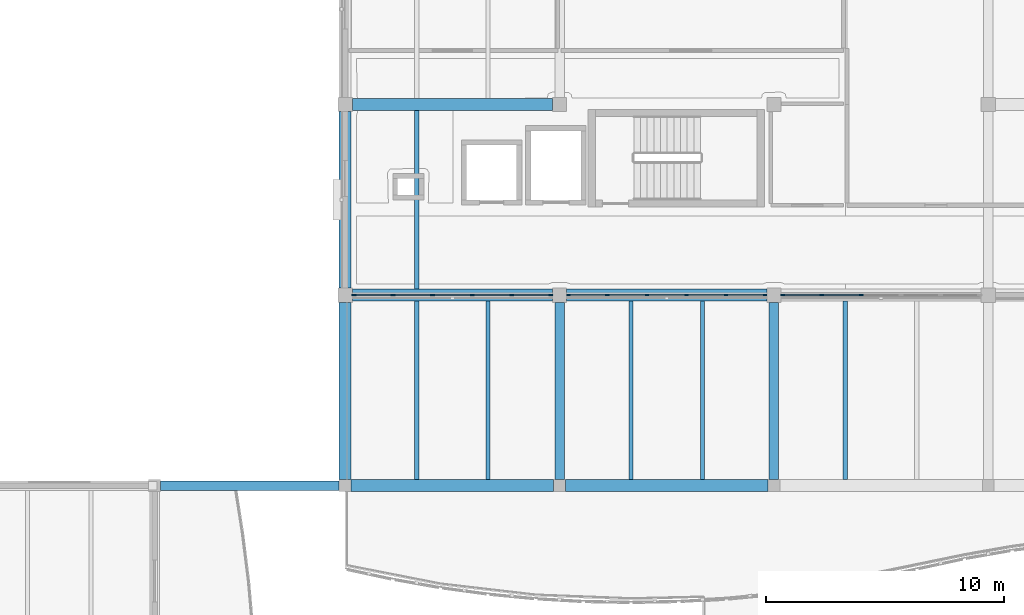
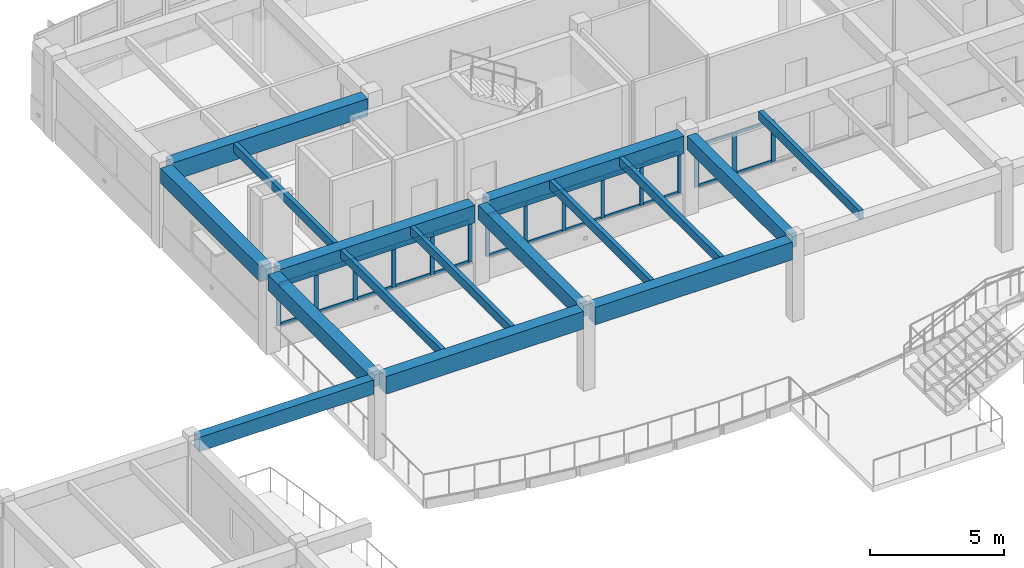
# One storey, part 18 of 89: 39 members, 16 beams, 3 elements without a shape of their own.
"""IFC4 building model written with IfcOpenShell, lengths in metres."""

from ifc_helpers import new_model, si_unit, direction, frame, origin, origin_2d, place, context, subcontext, project, spatial, rectangle, extrude, material, layer, layer_set, material_profile, profile_set, type_object, element, aggregate, save


model = new_model("IFC4")

# Units and contexts
model_context = context("Model", 3, precision=1e-05, world=origin(), true_north=direction((0.0, 1.0)))
body_context = subcontext(model_context, "Body", "Model", "MODEL_VIEW")
ifc_project = project(units=[si_unit("LENGTHUNIT", "METRE"), si_unit("AREAUNIT", "SQUARE_METRE"), si_unit("VOLUMEUNIT", "CUBIC_METRE"), si_unit("PLANEANGLEUNIT", "RADIAN"), si_unit("MASSUNIT", "GRAM", prefix="KILO")], contexts=[model_context])

# Site, building, storey
site_placement = place(None, origin())
site = spatial("IfcSite", under=ifc_project, at=site_placement, CompositionType="ELEMENT")
building_placement = place(site_placement, origin())
building = spatial("IfcBuilding", under=site, at=building_placement, Name="Tonlespit Floodbar School", CompositionType="ELEMENT")
storey_placement = place(building_placement, frame((0.0, 0.0, 4.5)))
storey = spatial("IfcBuildingStorey", under=building, at=storey_placement, Name="L01", CompositionType="ELEMENT", Elevation=4.5)

# Beams
ifc_material_1 = material(Name="Concrete C40/50", Category="concrete")
ifc_material_profile_1 = material_profile(ifc_material_1, rectangle(XDim=0.39990234375, YDim=0.64990234375, at=origin_2d()), Name="RC 400x650")
ifc_profile_set_1 = profile_set([ifc_material_profile_1], Name="Concrete C40/50")
beam_type_1 = type_object("IfcBeamType", Name="Beam_RC_400x650", PredefinedType="BEAM", material=ifc_profile_set_1)
beam_1_placement = place(storey_placement, frame((36.25, 96.0, 3.324951171875), z_axis=(1.0, 0.0, 0.0), x_axis=(0.0, 1.0, 0.0)))
element("IfcBeam", 1, at=beam_1_placement, inside=storey, type_object=beam_type_1, Name="L01 girder 0616", PredefinedType="BEAM", context=body_context, shape_type="SweptSolid", body=[
    extrude(rectangle(XDim=0.39990234375, YDim=0.64990234375, at=origin_2d()), origin(), (0.0, 0.0, 1.0), 7.5),
])
for number, where, z_axis, x_axis, name in (
    (2, (53.0, 96.25, 3.322998046875), (0.0, 1.0, 0.0), (-1.0, 0.0, 0.0), "L01 girder 0728"),
    (3, (62.0, 96.25, 3.322998046875), (0.0, 1.0, 0.0), (-1.0, 0.0, 0.0), "L01 girder 0730"),
):
    element("IfcBeam", number, at=place(storey_placement, frame(where, z_axis=z_axis, x_axis=x_axis)), inside=storey, type_object=beam_type_1, Name=name, PredefinedType="BEAM", context=body_context, shape_type="SweptSolid", body=[
        extrude(rectangle(XDim=0.39990234375, YDim=0.64990234375, at=origin_2d()), origin(), (0.0, 0.0, 1.0), 7.449951171875),
    ])
ifc_material_profile_2 = material_profile(ifc_material_1, rectangle(XDim=0.5, YDim=0.800048828125, at=origin_2d()), Name="RC 500x800")
ifc_profile_set_2 = profile_set([ifc_material_profile_2], Name="Concrete C40/50")
beam_type_2 = type_object("IfcBeamType", Name="Beam_RC_500x800", PredefinedType="BEAM", material=ifc_profile_set_2)
for number, where, z_axis, x_axis, name in (
    (4, (44.25, 96.0, 3.248046875), (1.0, 0.0, 0.0), (0.0, 1.0, 0.0), "L01 girder 0617"),
    (5, (53.25, 96.0, 3.248046875), (1.0, 0.0, 0.0), (0.0, 1.0, 0.0), "L01 girder 0618"),
):
    element("IfcBeam", number, at=place(storey_placement, frame(where, z_axis=z_axis, x_axis=x_axis)), inside=storey, type_object=beam_type_2, Name=name, PredefinedType="BEAM", context=body_context, shape_type="SweptSolid", body=[
        extrude(rectangle(XDim=0.5, YDim=0.800048828125, at=origin_2d()), origin(), (0.0, 0.0, 1.0), 8.5),
    ])
for number, where, z_axis, x_axis, name in (
    (6, (44.300048828125, 104.0, 3.2451171875), (1.0, 0.0, 0.0), (0.0, 1.0, 0.0), "L01 girder 0629"),
    (7, (53.300048828125, 104.0, 3.2451171875), (1.0, 0.0, 0.0), (0.0, 1.0, 0.0), "L01 girder 0630"),
    (8, (44.300048828125, 112.0, 3.2451171875), (1.0, 0.0, 0.0), (0.0, 1.0, 0.0), "L01 girder 0645"),
):
    element("IfcBeam", number, at=place(storey_placement, frame(where, z_axis=z_axis, x_axis=x_axis)), inside=storey, type_object=beam_type_2, Name=name, PredefinedType="BEAM", context=body_context, shape_type="SweptSolid", body=[
        extrude(rectangle(XDim=0.5, YDim=0.800048828125, at=origin_2d()), origin(), (0.0, 0.0, 1.0), 8.39990234375),
    ])

# Curtain wall, members
ifc_material_2 = material(Name="Anodised Aluminium", Category="aluminium")
ifc_layer = layer(ifc_material_2, 0.159912109375)
ifc_layer_set = layer_set([ifc_layer], Name="Anodised Aluminium")
curtain_wall_type = type_object("IfcCurtainWallType", Name="CurtainWall_8300x1900", PredefinedType="NOTDEFINED", material=ifc_layer_set)
curtain_wall_1_placement = place(storey_placement, origin())
curtain_wall_1 = element("IfcCurtainWall", 9, at=curtain_wall_1_placement, inside=storey, type_object=curtain_wall_type, Name="L01 unitised curtain wall 0080", PredefinedType="NOTDEFINED")
ifc_material_profile_3 = material_profile(ifc_material_2, rectangle(XDim=0.06494140625, YDim=0.14990234375, at=origin_2d()), Name="ALU M65x150")
ifc_profile_set_3 = profile_set([ifc_material_profile_3], Name="Anodised Aluminium")
member_type_1 = type_object("IfcMemberType", Name="CW_Mullion_65x150", PredefinedType="MULLION", material=ifc_profile_set_3)
member_1_placement = place(storey_placement, frame((61.62744140625, 104.0, 0.949951171875), z_axis=(0.0, 0.0, 1.0), x_axis=(0.0, -1.0, 0.0)))
member_1 = element("IfcMember", 10, at=member_1_placement, type_object=member_type_1, Name="CW-06 mullion 1", PredefinedType="MULLION", context=body_context, shape_type="SweptSolid", body=[
    extrude(rectangle(XDim=0.06494140625, YDim=0.14990234375, at=origin_2d()), origin(), (0.0, 0.0, 1.0), 1.89501953125),
])
member_2_placement = place(storey_placement, frame((59.99609375, 104.0, 0.949951171875), z_axis=(0.0, 0.0, 1.0), x_axis=(0.0, -1.0, 0.0)))
member_2 = element("IfcMember", 11, at=member_2_placement, type_object=member_type_1, Name="CW-06 mullion 2", PredefinedType="MULLION", context=body_context, shape_type="SweptSolid", body=[
    extrude(rectangle(XDim=0.06494140625, YDim=0.14990234375, at=origin_2d()), origin(), (0.0, 0.0, 1.0), 1.89501953125),
])
member_3_placement = place(storey_placement, frame((58.33203125, 104.0, 0.949951171875), z_axis=(0.0, 0.0, 1.0), x_axis=(0.0, -1.0, 0.0)))
member_3 = element("IfcMember", 12, at=member_3_placement, type_object=member_type_1, Name="CW-06 mullion 3", PredefinedType="MULLION", context=body_context, shape_type="SweptSolid", body=[
    extrude(rectangle(XDim=0.06494140625, YDim=0.14990234375, at=origin_2d()), origin(), (0.0, 0.0, 1.0), 1.89501953125),
])
member_4_placement = place(storey_placement, frame((56.66796875, 104.0, 0.949951171875), z_axis=(0.0, 0.0, 1.0), x_axis=(0.0, -1.0, 0.0)))
member_4 = element("IfcMember", 13, at=member_4_placement, type_object=member_type_1, Name="CW-06 mullion 4", PredefinedType="MULLION", context=body_context, shape_type="SweptSolid", body=[
    extrude(rectangle(XDim=0.06494140625, YDim=0.14990234375, at=origin_2d()), origin(), (0.0, 0.0, 1.0), 1.89501953125),
])
member_5_placement = place(storey_placement, frame((55.00390625, 104.0, 0.949951171875), z_axis=(0.0, 0.0, 1.0), x_axis=(0.0, -1.0, 0.0)))
member_5 = element("IfcMember", 14, at=member_5_placement, type_object=member_type_1, Name="CW-06 mullion 5", PredefinedType="MULLION", context=body_context, shape_type="SweptSolid", body=[
    extrude(rectangle(XDim=0.06494140625, YDim=0.14990234375, at=origin_2d()), origin(), (0.0, 0.0, 1.0), 1.89501953125),
])
member_6_placement = place(storey_placement, frame((53.37255859375, 104.0, 0.949951171875), z_axis=(0.0, 0.0, 1.0), x_axis=(0.0, -1.0, 0.0)))
member_6 = element("IfcMember", 15, at=member_6_placement, type_object=member_type_1, Name="CW-06 mullion 6", PredefinedType="MULLION", context=body_context, shape_type="SweptSolid", body=[
    extrude(rectangle(XDim=0.06494140625, YDim=0.14990234375, at=origin_2d()), origin(), (0.0, 0.0, 1.0), 1.89501953125),
])

curtain_wall_2_placement = place(storey_placement, origin())
curtain_wall_2 = element("IfcCurtainWall", 16, at=curtain_wall_2_placement, inside=storey, type_object=curtain_wall_type, Name="L01 unitised curtain wall 0079", PredefinedType="NOTDEFINED")
ifc_material_profile_4 = material_profile(ifc_material_2, rectangle(XDim=0.06494140625, YDim=0.179931640625, at=origin_2d()), Name="ALU M65x180")
ifc_profile_set_4 = profile_set([ifc_material_profile_4], Name="Anodised Aluminium")
member_type_2 = type_object("IfcMemberType", Name="CW_Mullion_65x180", PredefinedType="MULLION", material=ifc_profile_set_4)
member_7_placement = place(storey_placement, frame((65.66796875, 104.0, 0.949951171875), z_axis=(0.0, 0.0, 1.0), x_axis=(0.0, -1.0, 0.0)))
member_7 = element("IfcMember", 17, at=member_7_placement, type_object=member_type_2, Name="CW-06 mullion 4", PredefinedType="MULLION", context=body_context, shape_type="SweptSolid", body=[
    extrude(rectangle(XDim=0.06494140625, YDim=0.179931640625, at=origin_2d()), origin(), (0.0, 0.0, 1.0), 1.89501953125),
])
member_8_placement = place(storey_placement, frame((64.00390625, 104.0, 0.949951171875), z_axis=(0.0, 0.0, 1.0), x_axis=(0.0, -1.0, 0.0)))
member_8 = element("IfcMember", 18, at=member_8_placement, type_object=member_type_2, Name="CW-06 mullion 5", PredefinedType="MULLION", context=body_context, shape_type="SweptSolid", body=[
    extrude(rectangle(XDim=0.06494140625, YDim=0.179931640625, at=origin_2d()), origin(), (0.0, 0.0, 1.0), 1.89501953125),
])
member_9_placement = place(storey_placement, frame((62.37255859375, 104.0, 0.949951171875), z_axis=(0.0, 0.0, 1.0), x_axis=(0.0, -1.0, 0.0)))
member_9 = element("IfcMember", 19, at=member_9_placement, type_object=member_type_2, Name="CW-06 mullion 6", PredefinedType="MULLION", context=body_context, shape_type="SweptSolid", body=[
    extrude(rectangle(XDim=0.06494140625, YDim=0.179931640625, at=origin_2d()), origin(), (0.0, 0.0, 1.0), 1.89501953125),
])

curtain_wall_3_placement = place(storey_placement, origin())
curtain_wall_3 = element("IfcCurtainWall", 20, at=curtain_wall_3_placement, inside=storey, type_object=curtain_wall_type, Name="L01 unitised curtain wall 0081", PredefinedType="NOTDEFINED")
member_10_placement = place(storey_placement, frame((52.62744140625, 104.0, 0.949951171875), z_axis=(0.0, 0.0, 1.0), x_axis=(0.0, -1.0, 0.0)))
member_10 = element("IfcMember", 21, at=member_10_placement, type_object=member_type_2, Name="CW-06 mullion 1", PredefinedType="MULLION", context=body_context, shape_type="SweptSolid", body=[
    extrude(rectangle(XDim=0.06494140625, YDim=0.179931640625, at=origin_2d()), origin(), (0.0, 0.0, 1.0), 1.89501953125),
])
member_11_placement = place(storey_placement, frame((50.99609375, 104.0, 0.949951171875), z_axis=(0.0, 0.0, 1.0), x_axis=(0.0, -1.0, 0.0)))
member_11 = element("IfcMember", 22, at=member_11_placement, type_object=member_type_2, Name="CW-06 mullion 2", PredefinedType="MULLION", context=body_context, shape_type="SweptSolid", body=[
    extrude(rectangle(XDim=0.06494140625, YDim=0.179931640625, at=origin_2d()), origin(), (0.0, 0.0, 1.0), 1.89501953125),
])
member_12_placement = place(storey_placement, frame((49.33203125, 104.0, 0.949951171875), z_axis=(0.0, 0.0, 1.0), x_axis=(0.0, -1.0, 0.0)))
member_12 = element("IfcMember", 23, at=member_12_placement, type_object=member_type_2, Name="CW-06 mullion 3", PredefinedType="MULLION", context=body_context, shape_type="SweptSolid", body=[
    extrude(rectangle(XDim=0.06494140625, YDim=0.179931640625, at=origin_2d()), origin(), (0.0, 0.0, 1.0), 1.89501953125),
])
member_13_placement = place(storey_placement, frame((47.66796875, 104.0, 0.949951171875), z_axis=(0.0, 0.0, 1.0), x_axis=(0.0, -1.0, 0.0)))
member_13 = element("IfcMember", 24, at=member_13_placement, type_object=member_type_2, Name="CW-06 mullion 4", PredefinedType="MULLION", context=body_context, shape_type="SweptSolid", body=[
    extrude(rectangle(XDim=0.06494140625, YDim=0.179931640625, at=origin_2d()), origin(), (0.0, 0.0, 1.0), 1.89501953125),
])
member_14_placement = place(storey_placement, frame((46.00390625, 104.0, 0.949951171875), z_axis=(0.0, 0.0, 1.0), x_axis=(0.0, -1.0, 0.0)))
member_14 = element("IfcMember", 25, at=member_14_placement, type_object=member_type_2, Name="CW-06 mullion 5", PredefinedType="MULLION", context=body_context, shape_type="SweptSolid", body=[
    extrude(rectangle(XDim=0.06494140625, YDim=0.179931640625, at=origin_2d()), origin(), (0.0, 0.0, 1.0), 1.89501953125),
])
member_15_placement = place(storey_placement, frame((44.37255859375, 104.0, 0.949951171875), z_axis=(0.0, 0.0, 1.0), x_axis=(0.0, -1.0, 0.0)))
member_15 = element("IfcMember", 26, at=member_15_placement, type_object=member_type_2, Name="CW-06 mullion 6", PredefinedType="MULLION", context=body_context, shape_type="SweptSolid", body=[
    extrude(rectangle(XDim=0.06494140625, YDim=0.179931640625, at=origin_2d()), origin(), (0.0, 0.0, 1.0), 1.89501953125),
])

# Member
ifc_material_profile_5 = material_profile(ifc_material_2, rectangle(XDim=0.06494140625, YDim=0.1201171875, at=origin_2d()), Name="ALU T65x120")
ifc_profile_set_5 = profile_set([ifc_material_profile_5], Name="Anodised Aluminium")
member_type_3 = type_object("IfcMemberType", Name="CW_Transom_65x120", PredefinedType="USERDEFINED", material=ifc_profile_set_5)
member_16_placement = place(storey_placement, frame((61.594970703125, 104.0, 0.982421875), z_axis=(-1.0, 0.0, 0.0), x_axis=(0.0, -1.0, 0.0)))
member_16 = element("IfcMember", 27, at=member_16_placement, type_object=member_type_3, Name="CW-06 transom 1.1", ObjectType="TRANSOM", PredefinedType="USERDEFINED", context=body_context, shape_type="SweptSolid", body=[
    extrude(rectangle(XDim=0.06494140625, YDim=0.1201171875, at=origin_2d()), origin(), (0.0, 0.0, 1.0), 1.56640625),
])

member_17_placement = place(storey_placement, frame((61.594970703125, 104.0, 2.8125), z_axis=(-1.0, 0.0, 0.0), x_axis=(0.0, -1.0, 0.0)))
member_17 = element("IfcMember", 28, at=member_17_placement, type_object=member_type_3, Name="CW-06 transom 1.2", ObjectType="TRANSOM", PredefinedType="USERDEFINED", context=body_context, shape_type="SweptSolid", body=[
    extrude(rectangle(XDim=0.06494140625, YDim=0.1201171875, at=origin_2d()), origin(), (0.0, 0.0, 1.0), 1.56640625),
])

member_18_placement = place(storey_placement, frame((59.96337890625, 104.0, 0.982421875), z_axis=(-1.0, 0.0, 0.0), x_axis=(0.0, -1.0, 0.0)))
member_18 = element("IfcMember", 29, at=member_18_placement, type_object=member_type_3, Name="CW-06 transom 2.1", ObjectType="TRANSOM", PredefinedType="USERDEFINED", context=body_context, shape_type="SweptSolid", body=[
    extrude(rectangle(XDim=0.06494140625, YDim=0.1201171875, at=origin_2d()), origin(), (0.0, 0.0, 1.0), 1.598876953125),
])

member_19_placement = place(storey_placement, frame((59.96337890625, 104.0, 2.8125), z_axis=(-1.0, 0.0, 0.0), x_axis=(0.0, -1.0, 0.0)))
member_19 = element("IfcMember", 30, at=member_19_placement, type_object=member_type_3, Name="CW-06 transom 2.2", ObjectType="TRANSOM", PredefinedType="USERDEFINED", context=body_context, shape_type="SweptSolid", body=[
    extrude(rectangle(XDim=0.06494140625, YDim=0.1201171875, at=origin_2d()), origin(), (0.0, 0.0, 1.0), 1.598876953125),
])

member_20_placement = place(storey_placement, frame((58.299560546875, 104.0, 0.982421875), z_axis=(-1.0, 0.0, 0.0), x_axis=(0.0, -1.0, 0.0)))
member_20 = element("IfcMember", 31, at=member_20_placement, type_object=member_type_3, Name="CW-06 transom 3.1", ObjectType="TRANSOM", PredefinedType="USERDEFINED", context=body_context, shape_type="SweptSolid", body=[
    extrude(rectangle(XDim=0.06494140625, YDim=0.1201171875, at=origin_2d()), origin(), (0.0, 0.0, 1.0), 1.59912109375),
])

member_21_placement = place(storey_placement, frame((58.299560546875, 104.0, 2.8125), z_axis=(-1.0, 0.0, 0.0), x_axis=(0.0, -1.0, 0.0)))
member_21 = element("IfcMember", 32, at=member_21_placement, type_object=member_type_3, Name="CW-06 transom 3.2", ObjectType="TRANSOM", PredefinedType="USERDEFINED", context=body_context, shape_type="SweptSolid", body=[
    extrude(rectangle(XDim=0.06494140625, YDim=0.1201171875, at=origin_2d()), origin(), (0.0, 0.0, 1.0), 1.59912109375),
])

member_22_placement = place(storey_placement, frame((56.635498046875, 104.0, 0.982421875), z_axis=(-1.0, 0.0, 0.0), x_axis=(0.0, -1.0, 0.0)))
member_22 = element("IfcMember", 33, at=member_22_placement, type_object=member_type_3, Name="CW-06 transom 4.1", ObjectType="TRANSOM", PredefinedType="USERDEFINED", context=body_context, shape_type="SweptSolid", body=[
    extrude(rectangle(XDim=0.06494140625, YDim=0.1201171875, at=origin_2d()), origin(), (0.0, 0.0, 1.0), 1.598876953125),
])

member_23_placement = place(storey_placement, frame((56.635498046875, 104.0, 2.8125), z_axis=(-1.0, 0.0, 0.0), x_axis=(0.0, -1.0, 0.0)))
member_23 = element("IfcMember", 34, at=member_23_placement, type_object=member_type_3, Name="CW-06 transom 4.2", ObjectType="TRANSOM", PredefinedType="USERDEFINED", context=body_context, shape_type="SweptSolid", body=[
    extrude(rectangle(XDim=0.06494140625, YDim=0.1201171875, at=origin_2d()), origin(), (0.0, 0.0, 1.0), 1.598876953125),
])

member_24_placement = place(storey_placement, frame((54.971435546875, 104.0, 0.982421875), z_axis=(-1.0, 0.0, 0.0), x_axis=(0.0, -1.0, 0.0)))
member_24 = element("IfcMember", 35, at=member_24_placement, type_object=member_type_3, Name="CW-06 transom 5.1", ObjectType="TRANSOM", PredefinedType="USERDEFINED", context=body_context, shape_type="SweptSolid", body=[
    extrude(rectangle(XDim=0.06494140625, YDim=0.1201171875, at=origin_2d()), origin(), (0.0, 0.0, 1.0), 1.56640625),
])

member_25_placement = place(storey_placement, frame((54.971435546875, 104.0, 2.8125), z_axis=(-1.0, 0.0, 0.0), x_axis=(0.0, -1.0, 0.0)))
member_25 = element("IfcMember", 36, at=member_25_placement, type_object=member_type_3, Name="CW-06 transom 5.2", ObjectType="TRANSOM", PredefinedType="USERDEFINED", context=body_context, shape_type="SweptSolid", body=[
    extrude(rectangle(XDim=0.06494140625, YDim=0.1201171875, at=origin_2d()), origin(), (0.0, 0.0, 1.0), 1.56640625),
])

aggregate(curtain_wall_1, [member_1, member_2, member_3, member_4, member_5, member_6, member_16, member_17, member_18, member_19, member_20, member_21, member_22, member_23, member_24, member_25])

ifc_material_profile_6 = material_profile(ifc_material_2, rectangle(XDim=0.06494140625, YDim=0.139892578125, at=origin_2d()), Name="ALU T65x140")
ifc_profile_set_6 = profile_set([ifc_material_profile_6], Name="Anodised Aluminium")
member_type_4 = type_object("IfcMemberType", Name="CW_Transom_65x140", PredefinedType="USERDEFINED", material=ifc_profile_set_6)
member_26_placement = place(storey_placement, frame((65.635498046875, 104.0, 0.982421875), z_axis=(-1.0, 0.0, 0.0), x_axis=(0.0, -1.0, 0.0)))
member_26 = element("IfcMember", 37, at=member_26_placement, type_object=member_type_4, Name="CW-06 transom 4.1", ObjectType="TRANSOM", PredefinedType="USERDEFINED", context=body_context, shape_type="SweptSolid", body=[
    extrude(rectangle(XDim=0.06494140625, YDim=0.139892578125, at=origin_2d()), origin(), (0.0, 0.0, 1.0), 1.598876953125),
])

member_27_placement = place(storey_placement, frame((65.635498046875, 104.0, 2.8125), z_axis=(-1.0, 0.0, 0.0), x_axis=(0.0, -1.0, 0.0)))
member_27 = element("IfcMember", 38, at=member_27_placement, type_object=member_type_4, Name="CW-06 transom 4.2", ObjectType="TRANSOM", PredefinedType="USERDEFINED", context=body_context, shape_type="SweptSolid", body=[
    extrude(rectangle(XDim=0.06494140625, YDim=0.139892578125, at=origin_2d()), origin(), (0.0, 0.0, 1.0), 1.598876953125),
])

member_28_placement = place(storey_placement, frame((63.971435546875, 104.0, 0.982421875), z_axis=(-1.0, 0.0, 0.0), x_axis=(0.0, -1.0, 0.0)))
member_28 = element("IfcMember", 39, at=member_28_placement, type_object=member_type_4, Name="CW-06 transom 5.1", ObjectType="TRANSOM", PredefinedType="USERDEFINED", context=body_context, shape_type="SweptSolid", body=[
    extrude(rectangle(XDim=0.06494140625, YDim=0.139892578125, at=origin_2d()), origin(), (0.0, 0.0, 1.0), 1.56640625),
])

member_29_placement = place(storey_placement, frame((63.971435546875, 104.0, 2.8125), z_axis=(-1.0, 0.0, 0.0), x_axis=(0.0, -1.0, 0.0)))
member_29 = element("IfcMember", 40, at=member_29_placement, type_object=member_type_4, Name="CW-06 transom 5.2", ObjectType="TRANSOM", PredefinedType="USERDEFINED", context=body_context, shape_type="SweptSolid", body=[
    extrude(rectangle(XDim=0.06494140625, YDim=0.139892578125, at=origin_2d()), origin(), (0.0, 0.0, 1.0), 1.56640625),
])

aggregate(curtain_wall_2, [member_7, member_8, member_9, member_26, member_27, member_28, member_29])

member_30_placement = place(storey_placement, frame((52.594970703125, 104.0, 0.982421875), z_axis=(-1.0, 0.0, 0.0), x_axis=(0.0, -1.0, 0.0)))
member_30 = element("IfcMember", 41, at=member_30_placement, type_object=member_type_4, Name="CW-06 transom 1.1", ObjectType="TRANSOM", PredefinedType="USERDEFINED", context=body_context, shape_type="SweptSolid", body=[
    extrude(rectangle(XDim=0.06494140625, YDim=0.139892578125, at=origin_2d()), origin(), (0.0, 0.0, 1.0), 1.56640625),
])

member_31_placement = place(storey_placement, frame((52.594970703125, 104.0, 2.8125), z_axis=(-1.0, 0.0, 0.0), x_axis=(0.0, -1.0, 0.0)))
member_31 = element("IfcMember", 42, at=member_31_placement, type_object=member_type_4, Name="CW-06 transom 1.2", ObjectType="TRANSOM", PredefinedType="USERDEFINED", context=body_context, shape_type="SweptSolid", body=[
    extrude(rectangle(XDim=0.06494140625, YDim=0.139892578125, at=origin_2d()), origin(), (0.0, 0.0, 1.0), 1.56640625),
])

member_32_placement = place(storey_placement, frame((50.96337890625, 104.0, 0.982421875), z_axis=(-1.0, 0.0, 0.0), x_axis=(0.0, -1.0, 0.0)))
member_32 = element("IfcMember", 43, at=member_32_placement, type_object=member_type_4, Name="CW-06 transom 2.1", ObjectType="TRANSOM", PredefinedType="USERDEFINED", context=body_context, shape_type="SweptSolid", body=[
    extrude(rectangle(XDim=0.06494140625, YDim=0.139892578125, at=origin_2d()), origin(), (0.0, 0.0, 1.0), 1.598876953125),
])

member_33_placement = place(storey_placement, frame((50.96337890625, 104.0, 2.8125), z_axis=(-1.0, 0.0, 0.0), x_axis=(0.0, -1.0, 0.0)))
member_33 = element("IfcMember", 44, at=member_33_placement, type_object=member_type_4, Name="CW-06 transom 2.2", ObjectType="TRANSOM", PredefinedType="USERDEFINED", context=body_context, shape_type="SweptSolid", body=[
    extrude(rectangle(XDim=0.06494140625, YDim=0.139892578125, at=origin_2d()), origin(), (0.0, 0.0, 1.0), 1.598876953125),
])

member_34_placement = place(storey_placement, frame((49.299560546875, 104.0, 0.982421875), z_axis=(-1.0, 0.0, 0.0), x_axis=(0.0, -1.0, 0.0)))
member_34 = element("IfcMember", 45, at=member_34_placement, type_object=member_type_4, Name="CW-06 transom 3.1", ObjectType="TRANSOM", PredefinedType="USERDEFINED", context=body_context, shape_type="SweptSolid", body=[
    extrude(rectangle(XDim=0.06494140625, YDim=0.139892578125, at=origin_2d()), origin(), (0.0, 0.0, 1.0), 1.59912109375),
])

member_35_placement = place(storey_placement, frame((49.299560546875, 104.0, 2.8125), z_axis=(-1.0, 0.0, 0.0), x_axis=(0.0, -1.0, 0.0)))
member_35 = element("IfcMember", 46, at=member_35_placement, type_object=member_type_4, Name="CW-06 transom 3.2", ObjectType="TRANSOM", PredefinedType="USERDEFINED", context=body_context, shape_type="SweptSolid", body=[
    extrude(rectangle(XDim=0.06494140625, YDim=0.139892578125, at=origin_2d()), origin(), (0.0, 0.0, 1.0), 1.59912109375),
])

member_36_placement = place(storey_placement, frame((47.635498046875, 104.0, 0.982421875), z_axis=(-1.0, 0.0, 0.0), x_axis=(0.0, -1.0, 0.0)))
member_36 = element("IfcMember", 47, at=member_36_placement, type_object=member_type_4, Name="CW-06 transom 4.1", ObjectType="TRANSOM", PredefinedType="USERDEFINED", context=body_context, shape_type="SweptSolid", body=[
    extrude(rectangle(XDim=0.06494140625, YDim=0.139892578125, at=origin_2d()), origin(), (0.0, 0.0, 1.0), 1.598876953125),
])

member_37_placement = place(storey_placement, frame((47.635498046875, 104.0, 2.8125), z_axis=(-1.0, 0.0, 0.0), x_axis=(0.0, -1.0, 0.0)))
member_37 = element("IfcMember", 48, at=member_37_placement, type_object=member_type_4, Name="CW-06 transom 4.2", ObjectType="TRANSOM", PredefinedType="USERDEFINED", context=body_context, shape_type="SweptSolid", body=[
    extrude(rectangle(XDim=0.06494140625, YDim=0.139892578125, at=origin_2d()), origin(), (0.0, 0.0, 1.0), 1.598876953125),
])

member_38_placement = place(storey_placement, frame((45.971435546875, 104.0, 0.982421875), z_axis=(-1.0, 0.0, 0.0), x_axis=(0.0, -1.0, 0.0)))
member_38 = element("IfcMember", 49, at=member_38_placement, type_object=member_type_4, Name="CW-06 transom 5.1", ObjectType="TRANSOM", PredefinedType="USERDEFINED", context=body_context, shape_type="SweptSolid", body=[
    extrude(rectangle(XDim=0.06494140625, YDim=0.139892578125, at=origin_2d()), origin(), (0.0, 0.0, 1.0), 1.56640625),
])

member_39_placement = place(storey_placement, frame((45.971435546875, 104.0, 2.8125), z_axis=(-1.0, 0.0, 0.0), x_axis=(0.0, -1.0, 0.0)))
member_39 = element("IfcMember", 50, at=member_39_placement, type_object=member_type_4, Name="CW-06 transom 5.2", ObjectType="TRANSOM", PredefinedType="USERDEFINED", context=body_context, shape_type="SweptSolid", body=[
    extrude(rectangle(XDim=0.06494140625, YDim=0.139892578125, at=origin_2d()), origin(), (0.0, 0.0, 1.0), 1.56640625),
])

aggregate(curtain_wall_3, [member_10, member_11, member_12, member_13, member_14, member_15, member_30, member_31, member_32, member_33, member_34, member_35, member_36, member_37, member_38, member_39])

# Beams
ifc_material_3 = material(Name="Glulam GL28h", Category="wood")
ifc_material_profile_7 = material_profile(ifc_material_3, rectangle(XDim=0.179931640625, YDim=0.39990234375, at=origin_2d()), Name="GL 180x400")
ifc_profile_set_7 = profile_set([ifc_material_profile_7], Name="Glulam GL28h")
beam_type_3 = type_object("IfcBeamType", Name="Joist_GL_180x400", PredefinedType="JOIST", material=ifc_profile_set_7)
for number, where, z_axis, x_axis, name in (
    (51, (47.0, 96.25, 3.447998046875), (0.0, 1.0, 0.0), (-1.0, 0.0, 0.0), "L01 secondary joist 0863"),
    (52, (50.0, 96.25, 3.447998046875), (0.0, 1.0, 0.0), (-1.0, 0.0, 0.0), "L01 secondary joist 0864"),
    (53, (56.0, 96.25, 3.447998046875), (0.0, 1.0, 0.0), (-1.0, 0.0, 0.0), "L01 secondary joist 0865"),
    (54, (59.0, 96.25, 3.447998046875), (0.0, 1.0, 0.0), (-1.0, 0.0, 0.0), "L01 secondary joist 0866"),
    (55, (65.0, 96.25, 3.447998046875), (0.0, 1.0, 0.0), (-1.0, 0.0, 0.0), "L01 secondary joist 0867"),
    (56, (47.0, 104.25, 3.445068359375), (0.0, 1.0, 0.0), (-1.0, 0.0, 0.0), "L01 secondary joist 0879"),
):
    element("IfcBeam", number, at=place(storey_placement, frame(where, z_axis=z_axis, x_axis=x_axis)), inside=storey, type_object=beam_type_3, Name=name, PredefinedType="JOIST", context=body_context, shape_type="SweptSolid", body=[
        extrude(rectangle(XDim=0.179931640625, YDim=0.39990234375, at=origin_2d()), origin(), (0.0, 0.0, 1.0), 7.5),
    ])
ifc_material_profile_8 = material_profile(ifc_material_1, rectangle(XDim=0.5, YDim=0.699951171875, at=origin_2d()), Name="RC 500x700")
ifc_profile_set_8 = profile_set([ifc_material_profile_8], Name="Concrete C40/50")
beam_type_4 = type_object("IfcBeamType", Name="Spandrel_RC_500x700", PredefinedType="SPANDREL", material=ifc_profile_set_8)
beam_2_placement = place(storey_placement, frame((44.0, 96.25, 3.298095703125), z_axis=(0.0, 1.0, 0.0), x_axis=(-1.0, 0.0, 0.0)))
element("IfcBeam", 57, at=beam_2_placement, inside=storey, type_object=beam_type_4, Name="L01 girder 0725", PredefinedType="SPANDREL", context=body_context, shape_type="SweptSolid", body=[
    extrude(rectangle(XDim=0.5, YDim=0.699951171875, at=origin_2d()), origin(), (0.0, 0.0, 1.0), 7.449951171875),
])
beam_3_placement = place(storey_placement, frame((44.0, 104.300048828125, 3.294921875), z_axis=(0.0, 1.0, 0.0), x_axis=(-1.0, 0.0, 0.0)))
element("IfcBeam", 58, at=beam_3_placement, inside=storey, type_object=beam_type_4, Name="L01 girder 0726", PredefinedType="SPANDREL", context=body_context, shape_type="SweptSolid", body=[
    extrude(rectangle(XDim=0.5, YDim=0.699951171875, at=origin_2d()), origin(), (0.0, 0.0, 1.0), 7.39990234375),
])

save(model, "model.ifc")
